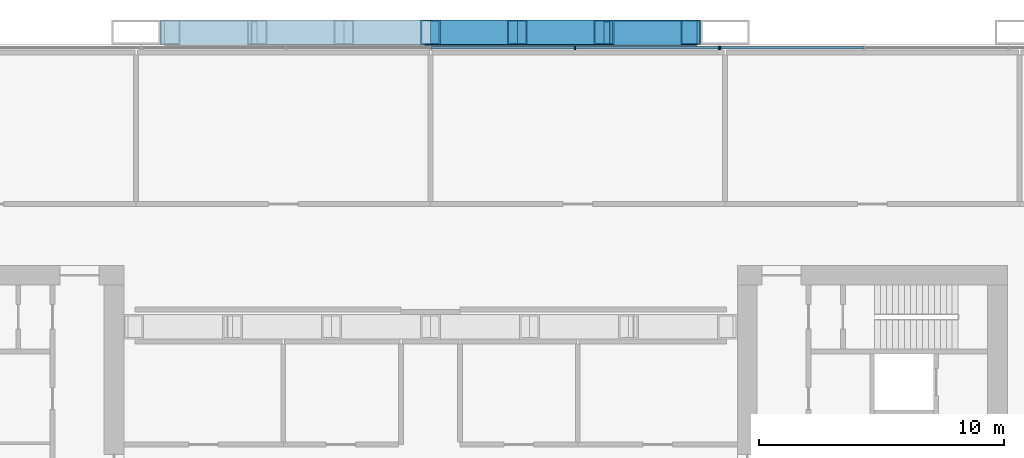
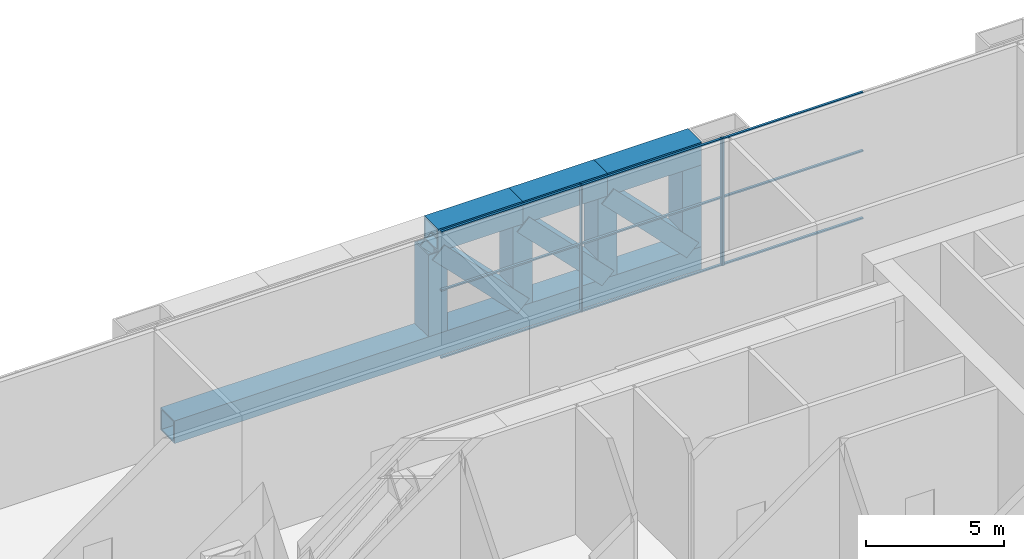
# One storey, part 16 of 27: 19 members, 4 beams, 2 elements without a shape of their own.
"""IFC4 building model written with IfcOpenShell, lengths in metres."""

from ifc_helpers import new_model, si_unit, direction, frame, origin, origin_2d, place, context, subcontext, project, spatial, rectangle, hollow_rectangle, extrude, material, material_profile, profile_set, type_object, element, aggregate, save


model = new_model("IFC4")

# Units and contexts
model_context = context("Model", 3, precision=1e-05, world=origin(), true_north=direction((0.0, 1.0)))
body_context = subcontext(model_context, "Body", "Model", "MODEL_VIEW")
ifc_project = project(units=[si_unit("LENGTHUNIT", "METRE"), si_unit("AREAUNIT", "SQUARE_METRE"), si_unit("VOLUMEUNIT", "CUBIC_METRE"), si_unit("PLANEANGLEUNIT", "RADIAN"), si_unit("MASSUNIT", "GRAM", prefix="KILO")], contexts=[model_context])

# Site, building, storey
site_placement = place(None, origin())
site = spatial("IfcSite", under=ifc_project, at=site_placement, CompositionType="ELEMENT")
building_placement = place(site_placement, origin())
building = spatial("IfcBuilding", under=site, at=building_placement, Name="Kitamizu Gate Tower and Museum", CompositionType="ELEMENT")
storey_placement = place(building_placement, frame((0.0, 0.0, 24.0)))
storey = spatial("IfcBuildingStorey", under=building, at=storey_placement, Name="L04", CompositionType="ELEMENT", Elevation=24.0)

# Curtain wall, members
ifc_material_1 = material(Name="Bronze anodised aluminium frame, insulated panels", Category="aluminium")
curtain_wall_type_1 = type_object("IfcCurtainWallType", Name="CURTAIN WALL TYPE F TRANSFER STOREY INSULATED", PredefinedType="NOTDEFINED", material=ifc_material_1)
curtain_wall_1_placement = place(storey_placement, origin())
curtain_wall_1 = element("IfcCurtainWall", 1, at=curtain_wall_1_placement, inside=storey, type_object=curtain_wall_type_1, Name="Curtain wall CW-FI north L04 part 2", PredefinedType="NOTDEFINED")
ifc_material_2 = material(Name="Bronze anodised aluminium", Category="aluminium")
ifc_material_profile_1 = material_profile(ifc_material_2, rectangle(XDim=0.050048828125, YDim=0.14990234375, at=origin_2d()), Name="AL 50X150")
ifc_profile_set_1 = profile_set([ifc_material_profile_1], Name="Bronze anodised aluminium")
member_type_1 = type_object("IfcMemberType", Name="MULLION 50 X 150 TYPE F", PredefinedType="MULLION", material=ifc_profile_set_1)
member_1_placement = place(storey_placement, frame((41.887939453125, 47.364990234375, 0.0), z_axis=(0.0, 0.0, 1.0), x_axis=(1.0, 0.0, 0.0)))
member_1 = element("IfcMember", 2, at=member_1_placement, type_object=member_type_1, Name="CW-FI mullion 4", PredefinedType="MULLION", context=body_context, shape_type="SweptSolid", body=[
    extrude(rectangle(XDim=0.050048828125, YDim=0.14990234375, at=origin_2d()), origin(), (0.0, 0.0, 1.0), 5.60009765625),
])
member_2_placement = place(storey_placement, frame((47.7509765625, 47.364990234375, 0.0), z_axis=(0.0, 0.0, 1.0), x_axis=(1.0, 0.0, 0.0)))
member_2 = element("IfcMember", 3, at=member_2_placement, type_object=member_type_1, Name="CW-FI mullion 5", PredefinedType="MULLION", context=body_context, shape_type="SweptSolid", body=[
    extrude(rectangle(XDim=0.050048828125, YDim=0.14990234375, at=origin_2d()), origin(), (0.0, 0.0, 1.0), 5.60009765625),
])

# Curtain wall, member
ifc_material_3 = material(Name="Bronze anodised aluminium frame, tinted triple glazing", Category="aluminium")
curtain_wall_type_2 = type_object("IfcCurtainWallType", Name="CURTAIN WALL TYPE F TRANSFER STOREY", PredefinedType="NOTDEFINED", material=ifc_material_3)
curtain_wall_2_placement = place(storey_placement, origin())
curtain_wall_2 = element("IfcCurtainWall", 4, at=curtain_wall_2_placement, inside=storey, type_object=curtain_wall_type_2, Name="Curtain wall CW-F north L04 part 3", PredefinedType="NOTDEFINED")
member_3_placement = place(storey_placement, frame((47.801025390625, 47.364990234375, 0.0), z_axis=(0.0, 0.0, 1.0), x_axis=(1.0, 0.0, 0.0)))
member_3 = element("IfcMember", 5, at=member_3_placement, type_object=member_type_1, Name="CW-F mullion 1", PredefinedType="MULLION", context=body_context, shape_type="SweptSolid", body=[
    extrude(rectangle(XDim=0.050048828125, YDim=0.14990234375, at=origin_2d()), origin(), (0.0, 0.0, 1.0), 5.60009765625),
])

# Member
ifc_material_4 = material(Name="Bronze anodised aluminium", Category="aluminium")
ifc_material_profile_2 = material_profile(ifc_material_4, rectangle(XDim=0.10009765625, YDim=0.06005859375, at=origin_2d()), Name="AL 60X100")
ifc_profile_set_2 = profile_set([ifc_material_profile_2], Name="Bronze anodised aluminium")
member_type_2 = type_object("IfcMemberType", Name="TRANSOM 60 X 100 TYPE F", PredefinedType="USERDEFINED", material=ifc_profile_set_2)
member_4_placement = place(storey_placement, frame((36.02490234375, 47.364990234375, 0.030029296875), z_axis=(1.0, 0.0, 0.0), x_axis=(0.0, 1.0, 0.0)))
member_4 = element("IfcMember", 6, at=member_4_placement, type_object=member_type_2, Name="CW-FI transom 3.1", ObjectType="TRANSOM", PredefinedType="USERDEFINED", context=body_context, shape_type="SweptSolid", body=[
    extrude(rectangle(XDim=0.10009765625, YDim=0.06005859375, at=origin_2d()), origin(), (0.0, 0.0, 1.0), 5.838134765625),
])

member_5_placement = place(storey_placement, frame((36.02490234375, 47.364990234375, 3.0), z_axis=(1.0, 0.0, 0.0), x_axis=(0.0, 1.0, 0.0)))
member_5 = element("IfcMember", 7, at=member_5_placement, type_object=member_type_2, Name="CW-FI transom 3.2", ObjectType="TRANSOM", PredefinedType="USERDEFINED", context=body_context, shape_type="SweptSolid", body=[
    extrude(rectangle(XDim=0.10009765625, YDim=0.06005859375, at=origin_2d()), origin(), (0.0, 0.0, 1.0), 5.838134765625),
])

member_6_placement = place(storey_placement, frame((36.02490234375, 47.364990234375, 5.570068359375), z_axis=(1.0, 0.0, 0.0), x_axis=(0.0, 1.0, 0.0)))
member_6 = element("IfcMember", 8, at=member_6_placement, type_object=member_type_2, Name="CW-FI transom 3.3", ObjectType="TRANSOM", PredefinedType="USERDEFINED", context=body_context, shape_type="SweptSolid", body=[
    extrude(rectangle(XDim=0.10009765625, YDim=0.06005859375, at=origin_2d()), origin(), (0.0, 0.0, 1.0), 5.838134765625),
])

member_7_placement = place(storey_placement, frame((41.9130859375, 47.364990234375, 0.030029296875), z_axis=(1.0, 0.0, 0.0), x_axis=(0.0, 1.0, 0.0)))
member_7 = element("IfcMember", 9, at=member_7_placement, type_object=member_type_2, Name="CW-FI transom 4.1", ObjectType="TRANSOM", PredefinedType="USERDEFINED", context=body_context, shape_type="SweptSolid", body=[
    extrude(rectangle(XDim=0.10009765625, YDim=0.06005859375, at=origin_2d()), origin(), (0.0, 0.0, 1.0), 5.81298828125),
])

member_8_placement = place(storey_placement, frame((41.9130859375, 47.364990234375, 3.0), z_axis=(1.0, 0.0, 0.0), x_axis=(0.0, 1.0, 0.0)))
member_8 = element("IfcMember", 10, at=member_8_placement, type_object=member_type_2, Name="CW-FI transom 4.2", ObjectType="TRANSOM", PredefinedType="USERDEFINED", context=body_context, shape_type="SweptSolid", body=[
    extrude(rectangle(XDim=0.10009765625, YDim=0.06005859375, at=origin_2d()), origin(), (0.0, 0.0, 1.0), 5.81298828125),
])

member_9_placement = place(storey_placement, frame((41.9130859375, 47.364990234375, 5.570068359375), z_axis=(1.0, 0.0, 0.0), x_axis=(0.0, 1.0, 0.0)))
member_9 = element("IfcMember", 11, at=member_9_placement, type_object=member_type_2, Name="CW-FI transom 4.3", ObjectType="TRANSOM", PredefinedType="USERDEFINED", context=body_context, shape_type="SweptSolid", body=[
    extrude(rectangle(XDim=0.10009765625, YDim=0.06005859375, at=origin_2d()), origin(), (0.0, 0.0, 1.0), 5.81298828125),
])

aggregate(curtain_wall_1, [member_1, member_2, member_4, member_5, member_6, member_7, member_8, member_9])

member_10_placement = place(storey_placement, frame((47.825927734375, 47.364990234375, 0.030029296875), z_axis=(1.0, 0.0, 0.0), x_axis=(0.0, 1.0, 0.0)))
member_10 = element("IfcMember", 12, at=member_10_placement, type_object=member_type_2, Name="CW-F transom 1.1", ObjectType="TRANSOM", PredefinedType="USERDEFINED", context=body_context, shape_type="SweptSolid", body=[
    extrude(rectangle(XDim=0.10009765625, YDim=0.06005859375, at=origin_2d()), origin(), (0.0, 0.0, 1.0), 5.81298828125),
])

member_11_placement = place(storey_placement, frame((47.825927734375, 47.364990234375, 3.0), z_axis=(1.0, 0.0, 0.0), x_axis=(0.0, 1.0, 0.0)))
member_11 = element("IfcMember", 13, at=member_11_placement, type_object=member_type_2, Name="CW-F transom 1.2", ObjectType="TRANSOM", PredefinedType="USERDEFINED", context=body_context, shape_type="SweptSolid", body=[
    extrude(rectangle(XDim=0.10009765625, YDim=0.06005859375, at=origin_2d()), origin(), (0.0, 0.0, 1.0), 5.81298828125),
])

member_12_placement = place(storey_placement, frame((47.825927734375, 47.364990234375, 5.570068359375), z_axis=(1.0, 0.0, 0.0), x_axis=(0.0, 1.0, 0.0)))
member_12 = element("IfcMember", 14, at=member_12_placement, type_object=member_type_2, Name="CW-F transom 1.3", ObjectType="TRANSOM", PredefinedType="USERDEFINED", context=body_context, shape_type="SweptSolid", body=[
    extrude(rectangle(XDim=0.10009765625, YDim=0.06005859375, at=origin_2d()), origin(), (0.0, 0.0, 1.0), 5.81298828125),
])

aggregate(curtain_wall_2, [member_3, member_10, member_11, member_12])

# Beams
ifc_material_5 = material(Name="Steel SM490A", Category="steel")
ifc_material_profile_3 = material_profile(ifc_material_5, hollow_rectangle(XDim=1.0, YDim=1.0, WallThickness=0.070068359375, at=origin_2d()), Name="BOX 1000x1000x70")
ifc_profile_set_3 = profile_set([ifc_material_profile_3], Name="Steel SM490A")
beam_type = type_object("IfcBeamType", Name="Transfer truss chord TTB1 BOX 1000x1000x70", PredefinedType="BEAM", material=ifc_profile_set_3)
beam_1_placement = place(storey_placement, frame((36.0, 48.0, 5.10009765625), z_axis=(1.0, 0.0, 0.0), x_axis=(0.0, 1.0, 0.0)))
element("IfcBeam", 15, at=beam_1_placement, inside=storey, type_object=beam_type, Name="Transfer truss top chord y48-4", PredefinedType="BEAM", context=body_context, shape_type="SweptSolid", body=[
    extrude(hollow_rectangle(XDim=1.0, YDim=1.0, WallThickness=0.070068359375, at=origin_2d()), origin(), (0.0, 0.0, 1.0), 3.533447265625),
])
beam_2_placement = place(storey_placement, frame((39.533447265625, 48.0, 5.10009765625), z_axis=(1.0, 0.0, 0.0), x_axis=(0.0, 1.0, 0.0)))
element("IfcBeam", 16, at=beam_2_placement, inside=storey, type_object=beam_type, Name="Transfer truss top chord y48-5", PredefinedType="BEAM", context=body_context, shape_type="SweptSolid", body=[
    extrude(hollow_rectangle(XDim=1.0, YDim=1.0, WallThickness=0.070068359375, at=origin_2d()), origin(), (0.0, 0.0, 1.0), 3.533203125),
])
beam_3_placement = place(storey_placement, frame((43.066650390625, 48.0, 5.10009765625), z_axis=(1.0, 0.0, 0.0), x_axis=(0.0, 1.0, 0.0)))
element("IfcBeam", 17, at=beam_3_placement, inside=storey, type_object=beam_type, Name="Transfer truss top chord y48-6", PredefinedType="BEAM", context=body_context, shape_type="SweptSolid", body=[
    extrude(hollow_rectangle(XDim=1.0, YDim=1.0, WallThickness=0.070068359375, at=origin_2d()), origin(), (0.0, 0.0, 1.0), 3.933349609375),
])
beam_4_placement = place(storey_placement, frame((25.0, 48.0, 0.5), z_axis=(1.0, 0.0, 0.0), x_axis=(0.0, 1.0, 0.0)))
element("IfcBeam", 18, at=beam_4_placement, inside=storey, type_object=beam_type, Name="Transfer truss bottom chord y48", PredefinedType="BEAM", context=body_context, shape_type="SweptSolid", body=[
    extrude(hollow_rectangle(XDim=1.0, YDim=1.0, WallThickness=0.070068359375, at=origin_2d()), origin(), (0.0, 0.0, 1.0), 22.0),
])

# Members
ifc_material_6 = material(Name="Steel SM490A", Category="steel")
ifc_material_profile_4 = material_profile(ifc_material_6, hollow_rectangle(XDim=1.0, YDim=0.699951171875, WallThickness=0.044921875, at=origin_2d()), Name="BOX 1000x700x45")
ifc_profile_set_4 = profile_set([ifc_material_profile_4], Name="Steel SM490A")
member_type_3 = type_object("IfcMemberType", Name="Transfer truss diagonal TTB2 BOX 1000x700x45", PredefinedType="BRACE", material=ifc_profile_set_4)
member_13_placement = place(storey_placement, frame((39.533447265625, 47.955078125, 1.0), z_axis=(-0.700469542515, 0.0, 0.71368229627), x_axis=(0.0, -1.0, 0.0)))
element("IfcMember", 19, at=member_13_placement, inside=storey, type_object=member_type_3, Name="Transfer truss diagonal y48-4", PredefinedType="BRACE", context=body_context, shape_type="SweptSolid", body=[
    extrude(hollow_rectangle(XDim=1.0, YDim=0.699951171875, WallThickness=0.044921875, at=origin_2d()), origin(), (0.0, 0.0, 1.0), 5.04443359375),
])
member_14_placement = place(storey_placement, frame((43.066650390625, 47.955078125, 1.0), z_axis=(-0.70044488992, 0.0, 0.713706491623), x_axis=(0.0, -1.0, 0.0)))
element("IfcMember", 20, at=member_14_placement, inside=storey, type_object=member_type_3, Name="Transfer truss diagonal y48-5", PredefinedType="BRACE", context=body_context, shape_type="SweptSolid", body=[
    extrude(hollow_rectangle(XDim=1.0, YDim=0.699951171875, WallThickness=0.044921875, at=origin_2d()), origin(), (0.0, 0.0, 1.0), 5.044189453125),
])
member_15_placement = place(storey_placement, frame((46.60009765625, 47.955078125, 1.0), z_axis=(-0.700469542515, 0.0, 0.71368229627), x_axis=(0.0, -1.0, 0.0)))
element("IfcMember", 21, at=member_15_placement, inside=storey, type_object=member_type_3, Name="Transfer truss diagonal y48-6", PredefinedType="BRACE", context=body_context, shape_type="SweptSolid", body=[
    extrude(hollow_rectangle(XDim=1.0, YDim=0.699951171875, WallThickness=0.044921875, at=origin_2d()), origin(), (0.0, 0.0, 1.0), 5.04443359375),
])
ifc_material_7 = material(Name="Steel SM490A", Category="steel")
ifc_material_profile_5 = material_profile(ifc_material_7, hollow_rectangle(XDim=0.800048828125, YDim=1.0, WallThickness=0.044921875, at=origin_2d()), Name="BOX 800x1000x45")
ifc_profile_set_5 = profile_set([ifc_material_profile_5], Name="Steel SM490A")
member_type_4 = type_object("IfcMemberType", Name="Transfer truss post TTB3 BOX 800x1000x45", PredefinedType="POST", material=ifc_profile_set_5)
for number, where, z_axis, x_axis, name in (
    (22, (36.0, 48.0, 1.0), (0.0, 0.0, 1.0), (1.0, 0.0, 0.0), "Transfer truss post y48-4"),
    (23, (39.533447265625, 48.0, 1.0), (0.0, 0.0, 1.0), (1.0, 0.0, 0.0), "Transfer truss post y48-5"),
    (24, (43.066650390625, 48.0, 1.0), (0.0, 0.0, 1.0), (1.0, 0.0, 0.0), "Transfer truss post y48-6"),
    (25, (46.60009765625, 48.0, 1.0), (0.0, 0.0, 1.0), (1.0, 0.0, 0.0), "Transfer truss post y48-7"),
):
    element("IfcMember", number, at=place(storey_placement, frame(where, z_axis=z_axis, x_axis=x_axis)), inside=storey, type_object=member_type_4, Name=name, PredefinedType="POST", context=body_context, shape_type="SweptSolid", body=[
        extrude(hollow_rectangle(XDim=0.800048828125, YDim=1.0, WallThickness=0.044921875, at=origin_2d()), origin(), (0.0, 0.0, 1.0), 3.60009765625),
    ])

save(model, "model.ifc")
